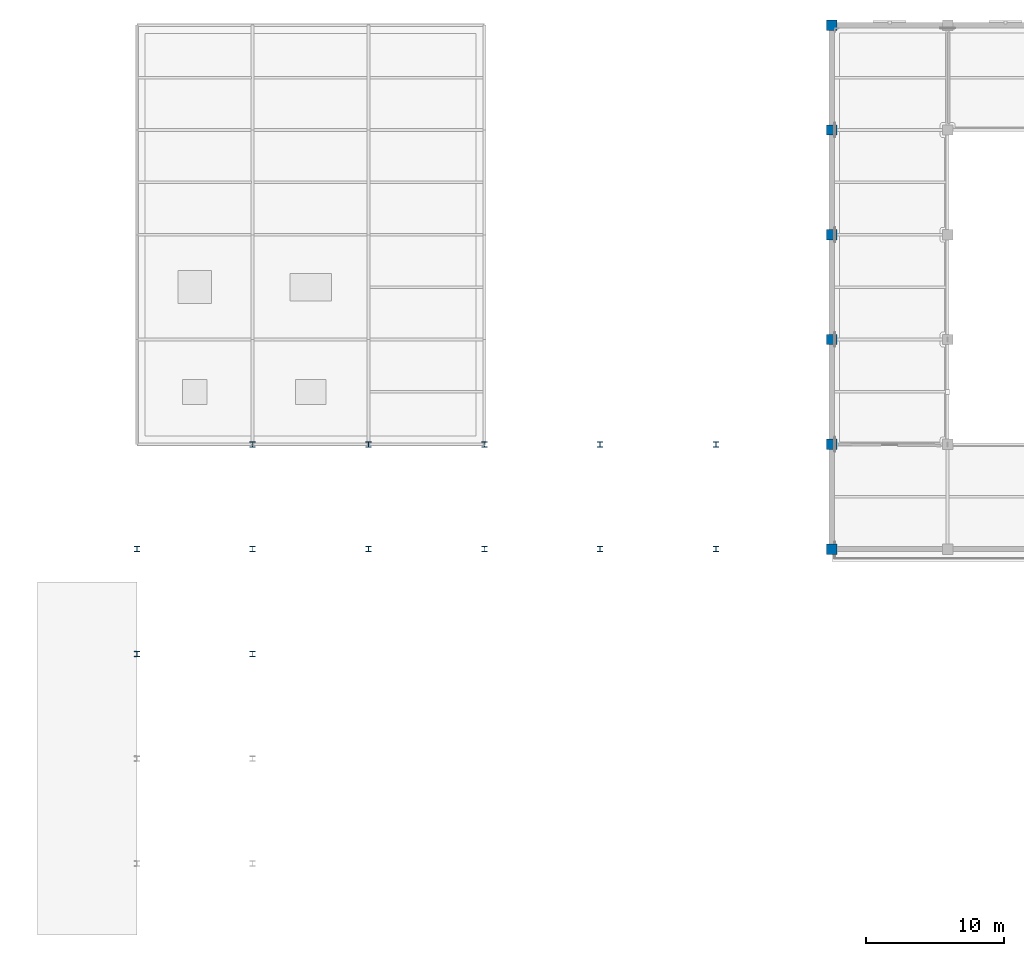
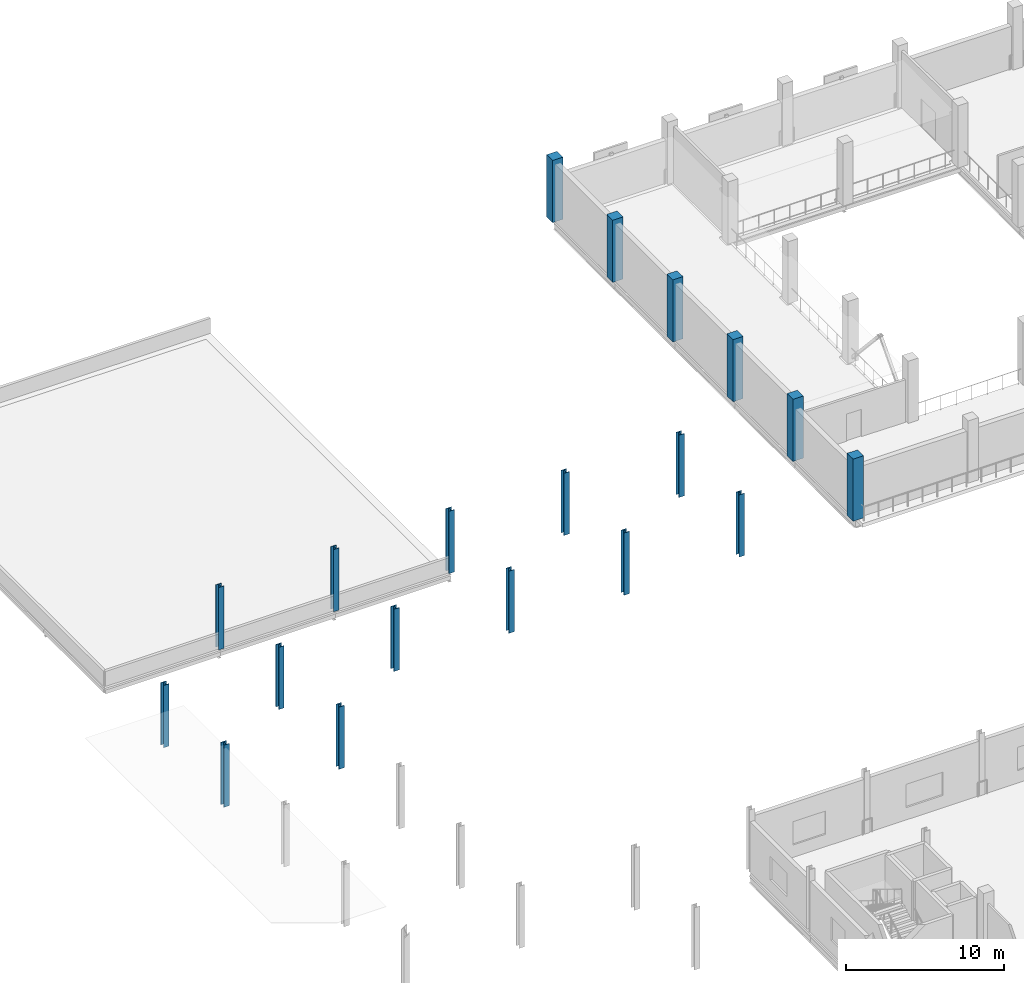
# One storey, part 7 of 51: 19 columns.
"""IFC4 building model written with IfcOpenShell, lengths in metres."""

from ifc_helpers import new_model, si_unit, direction, frame, origin, origin_2d, place, context, subcontext, project, spatial, rectangle, i_section, extrude, material, material_profile, profile_set, type_object, element, save


model = new_model("IFC4")

# Units and contexts
model_context = context("Model", 3, precision=1e-05, world=origin(), true_north=direction((0.0, 1.0)))
body_context = subcontext(model_context, "Body", "Model", "MODEL_VIEW")
ifc_project = project(units=[si_unit("LENGTHUNIT", "METRE"), si_unit("AREAUNIT", "SQUARE_METRE"), si_unit("VOLUMEUNIT", "CUBIC_METRE"), si_unit("PLANEANGLEUNIT", "RADIAN"), si_unit("MASSUNIT", "GRAM", prefix="KILO")], contexts=[model_context])

# Site, building, storey
site_placement = place(None, origin())
site = spatial("IfcSite", under=ifc_project, at=site_placement, CompositionType="ELEMENT")
building_placement = place(site_placement, origin())
building = spatial("IfcBuilding", under=site, at=building_placement, Name="Zuvorla Pavilion Media Centre", CompositionType="ELEMENT")
storey_placement = place(building_placement, frame((0.0, 0.0, 4.800048828125)))
storey = spatial("IfcBuildingStorey", under=building, at=storey_placement, Name="L01", CompositionType="ELEMENT", Elevation=4.800048828125)

# Columns
ifc_material_1 = material(Name="Concrete C40/50", Category="concrete")
ifc_material_profile_1 = material_profile(ifc_material_1, rectangle(XDim=0.75, YDim=0.75, at=origin_2d()), Name="RC 750x750")
ifc_profile_set_1 = profile_set([ifc_material_profile_1], Name="Concrete C40/50")
column_type_1 = type_object("IfcColumnType", Name="COL-RC750", PredefinedType="COLUMN", material=ifc_profile_set_1)
for number, where, z_axis, x_axis, name in (
    (1, (66.800048828125, 82.0, 0.0), (0.0, 0.0, 1.0), (1.0, 0.0, 0.0), "L01 column C02 774"),
    (2, (66.800048828125, 89.60009765625, 0.0), (0.0, 0.0, 1.0), (1.0, 0.0, 0.0), "L01 column C02 866"),
    (3, (66.800048828125, 97.199951171875, 0.0), (0.0, 0.0, 1.0), (1.0, 0.0, 0.0), "L01 column C02 934"),
    (4, (66.800048828125, 104.800048828125, 0.0), (0.0, 0.0, 1.0), (1.0, 0.0, 0.0), "L01 column C02 963"),
    (5, (66.800048828125, 112.39990234375, 0.0), (0.0, 0.0, 1.0), (1.0, 0.0, 0.0), "L01 column C02 992"),
    (6, (66.800048828125, 120.0, 0.0), (0.0, 0.0, 1.0), (1.0, 0.0, 0.0), "L01 column C02 1027"),
):
    element("IfcColumn", number, at=place(storey_placement, frame(where, z_axis=z_axis, x_axis=x_axis)), inside=storey, type_object=column_type_1, Name=name, PredefinedType="COLUMN", context=body_context, shape_type="SweptSolid", body=[
        extrude(rectangle(XDim=0.75, YDim=0.75, at=origin_2d()), origin(), (0.0, 0.0, 1.0), 4.800048828125),
    ])
ifc_material_2 = material(Name="Steel S355", Category="steel")
ifc_material_profile_2 = material_profile(ifc_material_2, i_section(OverallWidth=0.39892578125, OverallDepth=0.3935546875, WebThickness=0.022705078125, FlangeThickness=0.03662109375, FilletRadius=0.01513671875, at=origin_2d()), Name="UC 356x406x287")
ifc_profile_set_2 = profile_set([ifc_material_profile_2], Name="Steel S355")
column_type_2 = type_object("IfcColumnType", Name="COL-UC356H", PredefinedType="COLUMN", material=ifc_profile_set_2)
for number, where, z_axis, x_axis, name in (
    (7, (16.39990234375, 74.39990234375, 0.0), (0.0, 0.0, 1.0), (1.0, 0.0, 0.0), "L01 column C08 720"),
    (8, (24.800048828125, 74.39990234375, 0.0), (0.0, 0.0, 1.0), (1.0, 0.0, 0.0), "L01 column C08 725"),
    (9, (16.39990234375, 82.0, 0.0), (0.0, 0.0, 1.0), (1.0, 0.0, 0.0), "L01 column C08 744"),
    (10, (24.800048828125, 82.0, 0.0), (0.0, 0.0, 1.0), (1.0, 0.0, 0.0), "L01 column C08 749"),
    (11, (33.199951171875, 82.0, 0.0), (0.0, 0.0, 1.0), (1.0, 0.0, 0.0), "L01 column C08 754"),
    (12, (41.60009765625, 82.0, 0.0), (0.0, 0.0, 1.0), (1.0, 0.0, 0.0), "L01 column C08 759"),
    (13, (50.0, 82.0, 0.0), (0.0, 0.0, 1.0), (1.0, 0.0, 0.0), "L01 column C08 764"),
    (14, (58.39990234375, 82.0, 0.0), (0.0, 0.0, 1.0), (1.0, 0.0, 0.0), "L01 column C08 769"),
    (15, (24.800048828125, 89.60009765625, 0.0), (0.0, 0.0, 1.0), (1.0, 0.0, 0.0), "L01 column C08 841"),
    (16, (33.199951171875, 89.60009765625, 0.0), (0.0, 0.0, 1.0), (1.0, 0.0, 0.0), "L01 column C08 846"),
    (17, (41.60009765625, 89.60009765625, 0.0), (0.0, 0.0, 1.0), (1.0, 0.0, 0.0), "L01 column C08 851"),
    (18, (50.0, 89.60009765625, 0.0), (0.0, 0.0, 1.0), (1.0, 0.0, 0.0), "L01 column C08 856"),
    (19, (58.39990234375, 89.60009765625, 0.0), (0.0, 0.0, 1.0), (1.0, 0.0, 0.0), "L01 column C08 861"),
):
    element("IfcColumn", number, at=place(storey_placement, frame(where, z_axis=z_axis, x_axis=x_axis)), inside=storey, type_object=column_type_2, Name=name, PredefinedType="COLUMN", context=body_context, shape_type="SweptSolid", body=[
        extrude(i_section(OverallWidth=0.39892578125, OverallDepth=0.3935546875, WebThickness=0.022705078125, FlangeThickness=0.03662109375, FilletRadius=0.01513671875, at=origin_2d()), origin(), (0.0, 0.0, 1.0), 4.800048828125),
    ])

save(model, "model.ifc")
